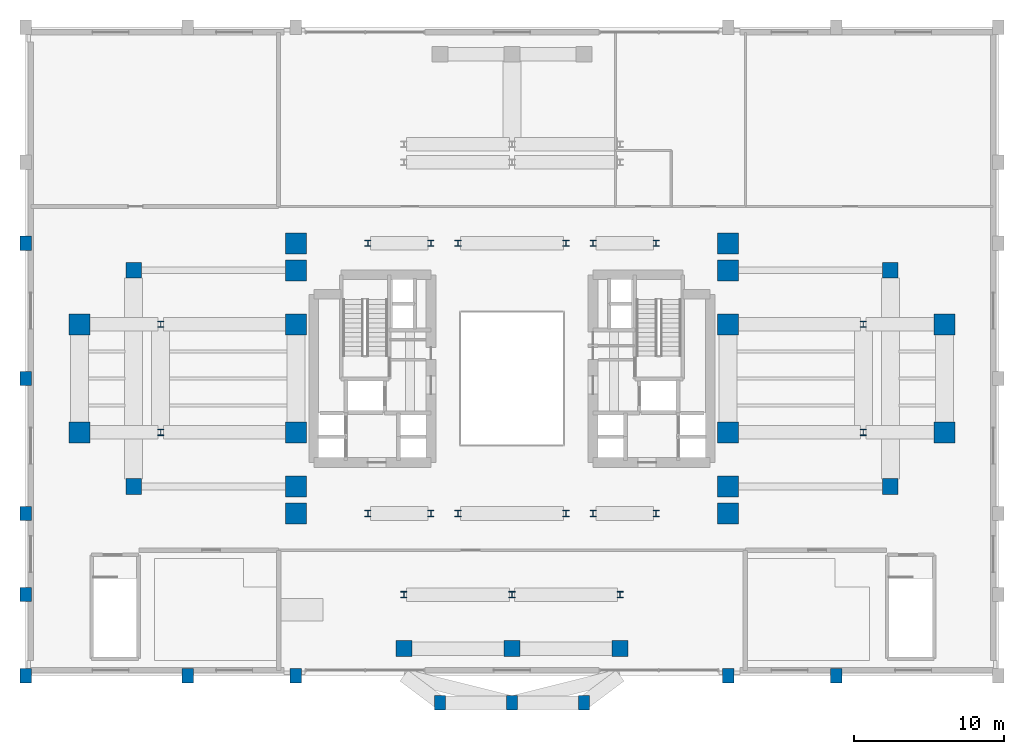
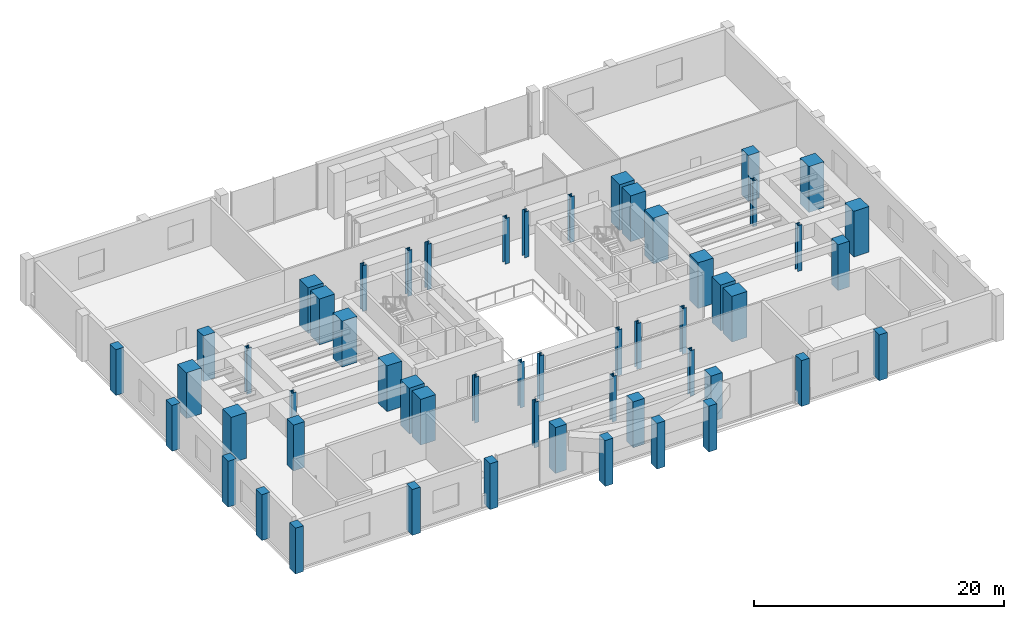
# One storey, part 1 of 13: 54 columns.
"""IFC4 building model written with IfcOpenShell, lengths in metres."""

from ifc_helpers import new_model, si_unit, direction, frame, origin, origin_2d, place, context, subcontext, project, spatial, rectangle, i_section, extrude, source, transform, mapped, material, material_profile, profile_set, type_object, element, save


model = new_model("IFC4")

# Units and contexts
model_context = context("Model", 3, precision=1e-05, world=origin(), true_north=direction((0.0, 1.0)))
body_context = subcontext(model_context, "Body", "Model", "MODEL_VIEW")
ifc_project = project(units=[si_unit("LENGTHUNIT", "METRE"), si_unit("AREAUNIT", "SQUARE_METRE"), si_unit("VOLUMEUNIT", "CUBIC_METRE"), si_unit("PLANEANGLEUNIT", "RADIAN"), si_unit("MASSUNIT", "GRAM", prefix="KILO")], contexts=[model_context])

# Site, building, storey
site_placement = place(None, origin())
site = spatial("IfcSite", under=ifc_project, at=site_placement, CompositionType="ELEMENT")
building_placement = place(site_placement, origin())
building = spatial("IfcBuilding", under=site, at=building_placement, Name="Keilestroom Media Tower", CompositionType="ELEMENT")
storey_placement = place(building_placement, frame((0.0, 0.0, 20.39990234375)))
storey = spatial("IfcBuildingStorey", under=building, at=storey_placement, Name="L04", CompositionType="ELEMENT", Elevation=20.39990234375)

# Columns
ifc_material_1 = material(Name="Precast concrete C40/50", Category="concrete")
ifc_material_profile_1 = material_profile(ifc_material_1, rectangle(XDim=0.75, YDim=0.949951171875, at=origin_2d()), Name="PC 950x750")
ifc_profile_set_1 = profile_set([ifc_material_profile_1], Name="Precast concrete C40/50")
column_type_1 = type_object("IfcColumnType", Name="Structural-Column-PC-950x750", PredefinedType="COLUMN", material=ifc_profile_set_1)
shared_shape_1 = source(origin(), body_context, "Body", "SweptSolid", [
    extrude(rectangle(XDim=0.75, YDim=0.949951171875, at=origin_2d()), origin(), (0.0, 0.0, 1.0), 4.47998046875),
])
for number, where, z_axis, x_axis, name in (
    (1, (-32.39990234375, -19.800048828125, 0.0), (0.0, 0.0, 1.0), (1.0, 0.0, 0.0), "L04 Column PC-1 (-32.4,-19.8)"),
    (2, (-32.39990234375, -14.39990234375, 0.0), (0.0, 0.0, 1.0), (1.0, 0.0, 0.0), "L04 Column PC-1 (-32.4,-14.4)"),
    (3, (-32.39990234375, -9.0, 0.0), (0.0, 0.0, 1.0), (1.0, 0.0, 0.0), "L04 Column PC-1 (-32.4,-9.0)"),
    (4, (-32.39990234375, 0.0, 0.0), (0.0, 0.0, 1.0), (1.0, 0.0, 0.0), "L04 Column PC-1 (-32.4,+0.0)"),
    (5, (-32.39990234375, 9.0, 0.0), (0.0, 0.0, 1.0), (1.0, 0.0, 0.0), "L04 Column PC-1 (-32.4,+9.0)"),
    (6, (-21.60009765625, -19.800048828125, 0.0), (0.0, 0.0, 1.0), (1.0, 0.0, 0.0), "L04 Column PC-1 (-21.6,-19.8)"),
    (7, (-14.39990234375, -19.800048828125, 0.0), (0.0, 0.0, 1.0), (1.0, 0.0, 0.0), "L04 Column PC-1 (-14.4,-19.8)"),
    (8, (-4.800048828125, -21.60009765625, 0.0), (0.0, 0.0, 1.0), (1.0, 0.0, 0.0), "L04 Column PC-1 (-4.8,-21.6)"),
    (9, (0.0, -21.60009765625, 0.0), (0.0, 0.0, 1.0), (1.0, 0.0, 0.0), "L04 Column PC-1 (+0.0,-21.6)"),
    (10, (4.800048828125, -21.60009765625, 0.0), (0.0, 0.0, 1.0), (1.0, 0.0, 0.0), "L04 Column PC-1 (+4.8,-21.6)"),
    (11, (14.39990234375, -19.800048828125, 0.0), (0.0, 0.0, 1.0), (1.0, 0.0, 0.0), "L04 Column PC-1 (+14.4,-19.8)"),
    (12, (21.60009765625, -19.800048828125, 0.0), (0.0, 0.0, 1.0), (1.0, 0.0, 0.0), "L04 Column PC-1 (+21.6,-19.8)"),
):
    element("IfcColumn", number, at=place(storey_placement, frame(where, z_axis=z_axis, x_axis=x_axis)), inside=storey, type_object=column_type_1, Name=name, PredefinedType="COLUMN", context=body_context, shape_type="MappedRepresentation", body=[
        mapped(shared_shape_1, transform((0.0, 0.0, 0.0), x_axis=(1.0, 0.0, 0.0), y_axis=(0.0, 1.0, 0.0), z_axis=(0.0, 0.0, 1.0), scale=1.0)),
    ])
ifc_material_2 = material(Name="Concrete C70/85", Category="concrete")
ifc_material_profile_2 = material_profile(ifc_material_2, rectangle(XDim=1.39990234375, YDim=1.39990234375, at=origin_2d()), Name="RC 1400x1400")
ifc_profile_set_2 = profile_set([ifc_material_profile_2], Name="Concrete C70/85")
column_type_2 = type_object("IfcColumnType", Name="Structural-Column-RC-1400x1400", PredefinedType="COLUMN", material=ifc_profile_set_2)
shared_shape_2 = source(origin(), body_context, "Body", "SweptSolid", [
    extrude(rectangle(XDim=1.39990234375, YDim=1.39990234375, at=origin_2d()), origin(), (0.0, 0.0, 1.0), 4.47998046875),
])
for number, where, z_axis, x_axis, name in (
    (13, (-28.800048828125, -3.60009765625, 0.0), (0.0, 0.0, 1.0), (1.0, 0.0, 0.0), "L04 Column MC-1 (-28.8,-3.6)"),
    (14, (-28.800048828125, 3.60009765625, 0.0), (0.0, 0.0, 1.0), (1.0, 0.0, 0.0), "L04 Column MC-1 (-28.8,+3.6)"),
    (15, (-14.39990234375, -9.0, 0.0), (0.0, 0.0, 1.0), (1.0, 0.0, 0.0), "L04 Column MC-1 (-14.4,-9.0)"),
    (16, (-14.39990234375, -7.199951171875, 0.0), (0.0, 0.0, 1.0), (1.0, 0.0, 0.0), "L04 Column MC-1 (-14.4,-7.2)"),
    (17, (-14.39990234375, -3.60009765625, 0.0), (0.0, 0.0, 1.0), (1.0, 0.0, 0.0), "L04 Column MC-1 (-14.4,-3.6)"),
    (18, (-14.39990234375, 3.60009765625, 0.0), (0.0, 0.0, 1.0), (1.0, 0.0, 0.0), "L04 Column MC-1 (-14.4,+3.6)"),
    (19, (-14.39990234375, 7.199951171875, 0.0), (0.0, 0.0, 1.0), (1.0, 0.0, 0.0), "L04 Column MC-1 (-14.4,+7.2)"),
    (20, (-14.39990234375, 9.0, 0.0), (0.0, 0.0, 1.0), (1.0, 0.0, 0.0), "L04 Column MC-1 (-14.4,+9.0)"),
    (21, (14.39990234375, -9.0, 0.0), (0.0, 0.0, 1.0), (1.0, 0.0, 0.0), "L04 Column MC-1 (+14.4,-9.0)"),
    (22, (14.39990234375, -7.199951171875, 0.0), (0.0, 0.0, 1.0), (1.0, 0.0, 0.0), "L04 Column MC-1 (+14.4,-7.2)"),
    (23, (14.39990234375, -3.60009765625, 0.0), (0.0, 0.0, 1.0), (1.0, 0.0, 0.0), "L04 Column MC-1 (+14.4,-3.6)"),
    (24, (14.39990234375, 3.60009765625, 0.0), (0.0, 0.0, 1.0), (1.0, 0.0, 0.0), "L04 Column MC-1 (+14.4,+3.6)"),
    (25, (14.39990234375, 7.199951171875, 0.0), (0.0, 0.0, 1.0), (1.0, 0.0, 0.0), "L04 Column MC-1 (+14.4,+7.2)"),
    (26, (14.39990234375, 9.0, 0.0), (0.0, 0.0, 1.0), (1.0, 0.0, 0.0), "L04 Column MC-1 (+14.4,+9.0)"),
    (27, (28.800048828125, -3.60009765625, 0.0), (0.0, 0.0, 1.0), (1.0, 0.0, 0.0), "L04 Column MC-1 (+28.8,-3.6)"),
    (28, (28.800048828125, 3.60009765625, 0.0), (0.0, 0.0, 1.0), (1.0, 0.0, 0.0), "L04 Column MC-1 (+28.8,+3.6)"),
):
    element("IfcColumn", number, at=place(storey_placement, frame(where, z_axis=z_axis, x_axis=x_axis)), inside=storey, type_object=column_type_2, Name=name, PredefinedType="COLUMN", context=body_context, shape_type="MappedRepresentation", body=[
        mapped(shared_shape_2, transform((0.0, 0.0, 0.0), x_axis=(1.0, 0.0, 0.0), y_axis=(0.0, 1.0, 0.0), z_axis=(0.0, 0.0, 1.0), scale=1.0)),
    ])
ifc_material_3 = material(Name="Concrete C55/67", Category="concrete")
ifc_material_profile_3 = material_profile(ifc_material_3, rectangle(XDim=1.050048828125, YDim=1.050048828125, at=origin_2d()), Name="RC 1050x1050")
ifc_profile_set_3 = profile_set([ifc_material_profile_3], Name="Concrete C55/67")
column_type_3 = type_object("IfcColumnType", Name="Structural-Column-RC-1050x1050", PredefinedType="COLUMN", material=ifc_profile_set_3)
shared_shape_3 = source(origin(), body_context, "Body", "SweptSolid", [
    extrude(rectangle(XDim=1.050048828125, YDim=1.050048828125, at=origin_2d()), origin(), (0.0, 0.0, 1.0), 4.47998046875),
])
for number, where, z_axis, x_axis, name in (
    (29, (-25.199951171875, -7.199951171875, 0.0), (0.0, 0.0, 1.0), (1.0, 0.0, 0.0), "L04 Column MC-3 (-25.2,-7.2)"),
    (30, (-25.199951171875, 7.199951171875, 0.0), (0.0, 0.0, 1.0), (1.0, 0.0, 0.0), "L04 Column MC-3 (-25.2,+7.2)"),
    (31, (-7.199951171875, -18.0, 0.0), (0.0, 0.0, 1.0), (1.0, 0.0, 0.0), "L04 Column MC-3 (-7.2,-18.0)"),
    (32, (0.0, -18.0, 0.0), (0.0, 0.0, 1.0), (1.0, 0.0, 0.0), "L04 Column MC-3 (+0.0,-18.0)"),
    (33, (7.199951171875, -18.0, 0.0), (0.0, 0.0, 1.0), (1.0, 0.0, 0.0), "L04 Column MC-3 (+7.2,-18.0)"),
    (34, (25.199951171875, -7.199951171875, 0.0), (0.0, 0.0, 1.0), (1.0, 0.0, 0.0), "L04 Column MC-3 (+25.2,-7.2)"),
    (35, (25.199951171875, 7.199951171875, 0.0), (0.0, 0.0, 1.0), (1.0, 0.0, 0.0), "L04 Column MC-3 (+25.2,+7.2)"),
):
    element("IfcColumn", number, at=place(storey_placement, frame(where, z_axis=z_axis, x_axis=x_axis)), inside=storey, type_object=column_type_3, Name=name, PredefinedType="COLUMN", context=body_context, shape_type="MappedRepresentation", body=[
        mapped(shared_shape_3, transform((0.0, 0.0, 0.0), x_axis=(1.0, 0.0, 0.0), y_axis=(0.0, 1.0, 0.0), z_axis=(0.0, 0.0, 1.0), scale=1.0)),
    ])
ifc_material_4 = material(Name="Steel S460", Category="steel")
ifc_material_profile_4 = material_profile(ifc_material_4, i_section(OverallWidth=0.406005859375, OverallDepth=0.416015625, WebThickness=0.02392578125, FlangeThickness=0.0390625, at=origin_2d()), Name="HD 400x382")
ifc_profile_set_4 = profile_set([ifc_material_profile_4], Name="Steel S460")
column_type_4 = type_object("IfcColumnType", Name="Structural-Column-HD-400x382", PredefinedType="COLUMN", material=ifc_profile_set_4)
shared_shape_4 = source(origin(), body_context, "Body", "SweptSolid", [
    extrude(i_section(OverallWidth=0.406005859375, OverallDepth=0.416015625, WebThickness=0.02392578125, FlangeThickness=0.0390625, at=origin_2d()), origin(), (0.0, 0.0, 1.0), 4.47998046875),
])
for number, where, z_axis, x_axis, name in (
    (36, (-23.39990234375, -3.60009765625, 0.0), (0.0, 0.0, 1.0), (1.0, 0.0, 0.0), "L04 Column SC-1 (-23.4,-3.6)"),
    (37, (-23.39990234375, 3.60009765625, 0.0), (0.0, 0.0, 1.0), (1.0, 0.0, 0.0), "L04 Column SC-1 (-23.4,+3.6)"),
    (38, (-9.60009765625, -9.0, 0.0), (0.0, 0.0, 1.0), (1.0, 0.0, 0.0), "L04 Column SC-1 (-9.6,-9.0)"),
    (39, (-9.60009765625, 9.0, 0.0), (0.0, 0.0, 1.0), (1.0, 0.0, 0.0), "L04 Column SC-1 (-9.6,+9.0)"),
    (40, (-7.199951171875, -14.39990234375, 0.0), (0.0, 0.0, 1.0), (1.0, 0.0, 0.0), "L04 Column SC-1 (-7.2,-14.4)"),
    (41, (-5.39990234375, -9.0, 0.0), (0.0, 0.0, 1.0), (1.0, 0.0, 0.0), "L04 Column SC-1 (-5.4,-9.0)"),
    (42, (-5.39990234375, 9.0, 0.0), (0.0, 0.0, 1.0), (1.0, 0.0, 0.0), "L04 Column SC-1 (-5.4,+9.0)"),
    (43, (-3.60009765625, -9.0, 0.0), (0.0, 0.0, 1.0), (1.0, 0.0, 0.0), "L04 Column SC-1 (-3.6,-9.0)"),
    (44, (-3.60009765625, 9.0, 0.0), (0.0, 0.0, 1.0), (1.0, 0.0, 0.0), "L04 Column SC-1 (-3.6,+9.0)"),
    (45, (0.0, -14.39990234375, 0.0), (0.0, 0.0, 1.0), (1.0, 0.0, 0.0), "L04 Column SC-1 (+0.0,-14.4)"),
    (46, (3.60009765625, -9.0, 0.0), (0.0, 0.0, 1.0), (1.0, 0.0, 0.0), "L04 Column SC-1 (+3.6,-9.0)"),
    (47, (3.60009765625, 9.0, 0.0), (0.0, 0.0, 1.0), (1.0, 0.0, 0.0), "L04 Column SC-1 (+3.6,+9.0)"),
    (48, (5.39990234375, -9.0, 0.0), (0.0, 0.0, 1.0), (1.0, 0.0, 0.0), "L04 Column SC-1 (+5.4,-9.0)"),
    (49, (5.39990234375, 9.0, 0.0), (0.0, 0.0, 1.0), (1.0, 0.0, 0.0), "L04 Column SC-1 (+5.4,+9.0)"),
    (50, (7.199951171875, -14.39990234375, 0.0), (0.0, 0.0, 1.0), (1.0, 0.0, 0.0), "L04 Column SC-1 (+7.2,-14.4)"),
    (51, (9.60009765625, -9.0, 0.0), (0.0, 0.0, 1.0), (1.0, 0.0, 0.0), "L04 Column SC-1 (+9.6,-9.0)"),
    (52, (9.60009765625, 9.0, 0.0), (0.0, 0.0, 1.0), (1.0, 0.0, 0.0), "L04 Column SC-1 (+9.6,+9.0)"),
    (53, (23.39990234375, -3.60009765625, 0.0), (0.0, 0.0, 1.0), (1.0, 0.0, 0.0), "L04 Column SC-1 (+23.4,-3.6)"),
    (54, (23.39990234375, 3.60009765625, 0.0), (0.0, 0.0, 1.0), (1.0, 0.0, 0.0), "L04 Column SC-1 (+23.4,+3.6)"),
):
    element("IfcColumn", number, at=place(storey_placement, frame(where, z_axis=z_axis, x_axis=x_axis)), inside=storey, type_object=column_type_4, Name=name, PredefinedType="COLUMN", context=body_context, shape_type="MappedRepresentation", body=[
        mapped(shared_shape_4, transform((0.0, 0.0, 0.0), x_axis=(1.0, 0.0, 0.0), y_axis=(0.0, 1.0, 0.0), z_axis=(0.0, 0.0, 1.0), scale=1.0)),
    ])

save(model, "model.ifc")
